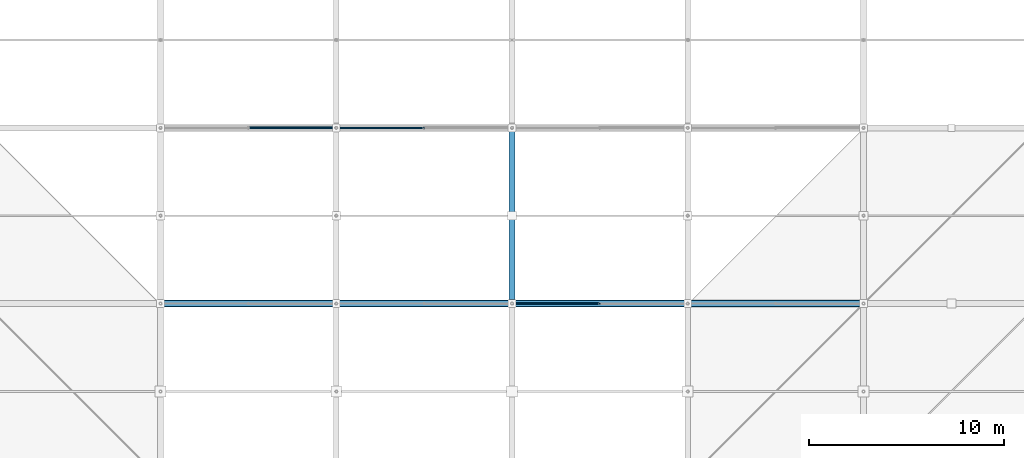
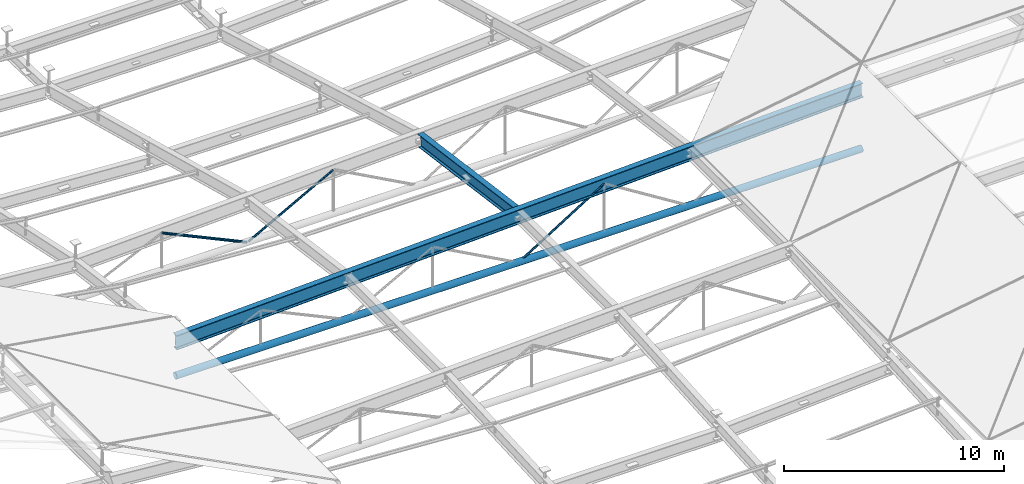
# One storey, part 39 of 80: 4 members, 2 beams.
"""IFC4 building model written with IfcOpenShell, lengths in metres."""

from ifc_helpers import new_model, si_unit, direction, frame, origin, origin_2d, place, context, subcontext, project, spatial, hollow_circle, i_section, extrude, material, material_profile, profile_set, type_object, element, save


model = new_model("IFC4")

# Units and contexts
model_context = context("Model", 3, precision=1e-05, world=origin(), true_north=direction((0.0, 1.0)))
body_context = subcontext(model_context, "Body", "Model", "MODEL_VIEW")
ifc_project = project(units=[si_unit("LENGTHUNIT", "METRE"), si_unit("AREAUNIT", "SQUARE_METRE"), si_unit("VOLUMEUNIT", "CUBIC_METRE"), si_unit("PLANEANGLEUNIT", "RADIAN"), si_unit("MASSUNIT", "GRAM", prefix="KILO")], contexts=[model_context])

# Site, building, storey
site_placement = place(None, origin())
site = spatial("IfcSite", under=ifc_project, at=site_placement, CompositionType="ELEMENT")
building_placement = place(site_placement, origin())
building = spatial("IfcBuilding", under=site, at=building_placement, Name="Barlavento Convention Centre", CompositionType="ELEMENT")
storey_placement = place(building_placement, frame((0.0, 0.0, 29.800048828125)))
storey = spatial("IfcBuildingStorey", under=building, at=storey_placement, Name="RF", CompositionType="ELEMENT", Elevation=29.800048828125)

# Beams
ifc_material_1 = material(Name="Steel S460", Category="steel")
ifc_material_profile_1 = material_profile(ifc_material_1, i_section(OverallWidth=0.300048828125, OverallDepth=0.800048828125, WebThickness=0.017578125, FlangeThickness=0.032958984375, FilletRadius=0.030029296875, at=origin_2d()), Name="HEB 800")
ifc_profile_set_1 = profile_set([ifc_material_profile_1], Name="Steel S460")
beam_type_1 = type_object("IfcBeamType", Name="STR-BM-CONG-HEB800", PredefinedType="BEAM", material=ifc_profile_set_1)
beam_1_placement = place(storey_placement, frame((18.02001953125, 27.0, -1.25634765625), z_axis=(0.999229333867, 0.0, 0.039252239943), x_axis=(0.0, 1.0, 0.0)))
element("IfcBeam", 1, at=beam_1_placement, inside=storey, type_object=beam_type_1, Name="Plenary hall 36 m roof truss top chord BG04", PredefinedType="BEAM", context=body_context, shape_type="SweptSolid", body=[
    extrude(i_section(OverallWidth=0.300048828125, OverallDepth=0.800048828125, WebThickness=0.017578125, FlangeThickness=0.032958984375, FilletRadius=0.030029296875, at=origin_2d()), origin(), (0.0, 0.0, 1.0), 35.98779296875),
])
ifc_material_profile_2 = material_profile(ifc_material_1, i_section(OverallWidth=0.300048828125, OverallDepth=0.699951171875, WebThickness=0.01708984375, FlangeThickness=0.031982421875, FilletRadius=0.027099609375, at=origin_2d()), Name="HEB 700")
ifc_profile_set_2 = profile_set([ifc_material_profile_2], Name="Steel S460")
beam_type_2 = type_object("IfcBeamType", Name="STR-BM-TRUSS-TOP-HEB700", PredefinedType="BEAM", material=ifc_profile_set_2)
beam_2_placement = place(storey_placement, frame((36.0, 27.155029296875, -0.550048828125), z_axis=(0.0, 0.990817967825, -0.135202642853), x_axis=(-1.0, 0.0, 0.0)))
element("IfcBeam", 2, at=beam_2_placement, inside=storey, type_object=beam_type_2, Name="Congress roof truss space frame chord", PredefinedType="BEAM", context=body_context, shape_type="SweptSolid", body=[
    extrude(i_section(OverallWidth=0.300048828125, OverallDepth=0.699951171875, WebThickness=0.01708984375, FlangeThickness=0.031982421875, FilletRadius=0.027099609375, at=origin_2d()), origin(), (0.0, 0.0, 1.0), 8.7705078125),
])

# Members
ifc_material_2 = material(Name="Steel S355", Category="steel")
ifc_material_profile_3 = material_profile(ifc_material_2, hollow_circle(Radius=0.177734375, WallThickness=0.01611328125, at=origin_2d()), Name="CHS 355.6x16.0")
ifc_profile_set_3 = profile_set([ifc_material_profile_3], Name="Steel S355")
member_type_1 = type_object("IfcMemberType", Name="STR-MEM-CHD-CHS355", PredefinedType="CHORD", material=ifc_profile_set_3)
member_1_placement = place(storey_placement, frame((18.02001953125, 27.0, -3.15625), z_axis=(1.0, 0.0, 0.0), x_axis=(0.0, 1.0, 0.0)))
element("IfcMember", 3, at=member_1_placement, inside=storey, type_object=member_type_1, Name="Plenary hall roof truss bottom chord TC01", PredefinedType="CHORD", context=body_context, shape_type="SweptSolid", body=[
    extrude(hollow_circle(Radius=0.177734375, WallThickness=0.01611328125, at=origin_2d()), origin(), (0.0, 0.0, 1.0), 35.9599609375),
])
ifc_material_profile_4 = material_profile(ifc_material_2, hollow_circle(Radius=0.05712890625, WallThickness=0.00634765625, at=origin_2d()), Name="CHS 114.3x6.3")
ifc_profile_set_4 = profile_set([ifc_material_profile_4], Name="Steel S355")
member_type_2 = type_object("IfcMemberType", Name="STR-MEM-DIAG-CHS114", PredefinedType="BRACE", material=ifc_profile_set_4)
member_2_placement = place(storey_placement, frame((36.050048828125, 27.0, -3.15625), z_axis=(0.847870226103, 0.0, 0.530203809575), x_axis=(0.0, 1.0, 0.0)))
element("IfcMember", 4, at=member_2_placement, inside=storey, type_object=member_type_2, Name="Plenary hall roof truss web member", PredefinedType="BRACE", context=body_context, shape_type="SweptSolid", body=[
    extrude(hollow_circle(Radius=0.05712890625, WallThickness=0.00634765625, at=origin_2d()), origin(), (0.0, 0.0, 1.0), 5.248291015625),
])
member_3_placement = place(storey_placement, frame((27.050048828125, 36.0, -4.342041015625), z_axis=(0.877693065925, 0.0, 0.479223206896), x_axis=(0.0, 1.0, 0.0)))
element("IfcMember", 5, at=member_3_placement, inside=storey, type_object=member_type_2, Name="Plenary hall roof truss web member", PredefinedType="BRACE", context=body_context, shape_type="SweptSolid", body=[
    extrude(hollow_circle(Radius=0.05712890625, WallThickness=0.00634765625, at=origin_2d()), origin(), (0.0, 0.0, 1.0), 5.070068359375),
])
ifc_material_profile_5 = material_profile(ifc_material_2, hollow_circle(Radius=0.06982421875, WallThickness=0.008056640625, at=origin_2d()), Name="CHS 139.7x8.0")
ifc_profile_set_5 = profile_set([ifc_material_profile_5], Name="Steel S355")
member_type_3 = type_object("IfcMemberType", Name="STR-MEM-DIAG-CHS139", PredefinedType="BRACE", material=ifc_profile_set_5)
member_4_placement = place(storey_placement, frame((22.5, 36.0, -2.265380859375), z_axis=(0.906181869863, 0.0, -0.422888187033), x_axis=(0.0, 1.0, 0.0)))
element("IfcMember", 6, at=member_4_placement, inside=storey, type_object=member_type_3, Name="Plenary hall roof truss web member", PredefinedType="BRACE", context=body_context, shape_type="SweptSolid", body=[
    extrude(hollow_circle(Radius=0.06982421875, WallThickness=0.008056640625, at=origin_2d()), origin(), (0.0, 0.0, 1.0), 4.91064453125),
])

save(model, "model.ifc")
